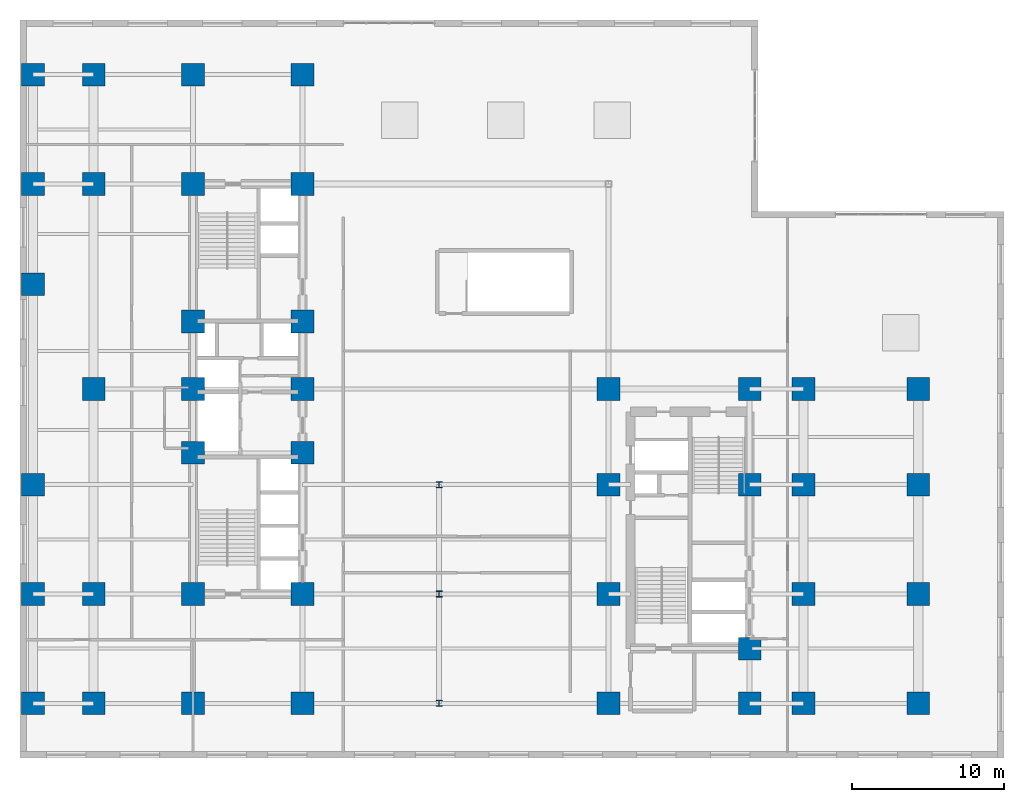
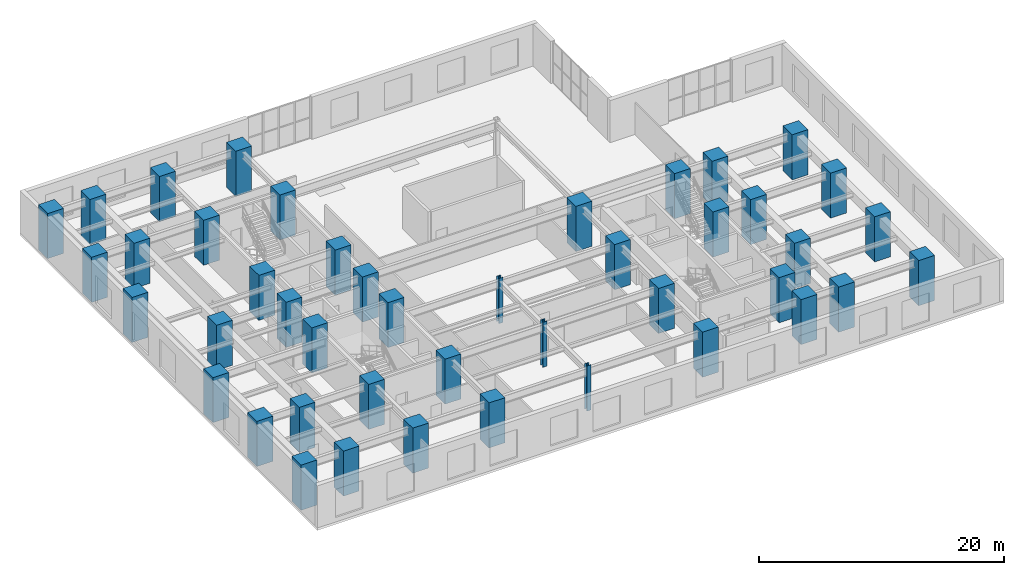
# One storey, part 1 of 14: 44 columns.
"""IFC4 building model written with IfcOpenShell, lengths in metres."""

from ifc_helpers import new_model, entity, si_unit, converted_unit, direction, frame, origin_with_axes, origin_2d_with_axis, place, context, subcontext, project, spatial, rectangle, i_section, extrude, material, material_profile, profile_set, type_object, element, save


model = new_model("IFC4")

# Units and contexts
model_context = context("Model", 3, precision=1e-05, world=origin_with_axes(), true_north=direction((0.0, 1.0)))
body_context = subcontext(model_context, "Body", "Model", "MODEL_VIEW")
ifc_project = project(units=[si_unit("LENGTHUNIT", "METRE"), si_unit("AREAUNIT", "SQUARE_METRE"), si_unit("VOLUMEUNIT", "CUBIC_METRE"), converted_unit("PLANEANGLEUNIT", "DEGREE", entity("IfcPlaneAngleMeasure", 0.017453292519943295), si_unit("PLANEANGLEUNIT", "RADIAN"), dimensions=[0, 0, 0, 0, 0, 0, 0]), si_unit("MASSUNIT", "GRAM", prefix="KILO"), si_unit("THERMODYNAMICTEMPERATUREUNIT", "KELVIN")], contexts=[model_context])

# Site, building, storey
site_placement = place(None, origin_with_axes())
site = spatial("IfcSite", under=ifc_project, at=site_placement, CompositionType="ELEMENT")
building_placement = place(site_placement, origin_with_axes())
building = spatial("IfcBuilding", under=site, at=building_placement, Name="Varnlund Millrace Tower", CompositionType="ELEMENT")
storey_placement = place(building_placement, frame((0.0, 0.0, 24.3), z_axis=(0.0, 0.0, 1.0), x_axis=(1.0, 0.0, 0.0)))
storey = spatial("IfcBuildingStorey", under=building, at=storey_placement, Name="L05", CompositionType="ELEMENT", Elevation=24.3)

# Columns
ifc_material_1 = material(Name="Steel ASTM A913 Grade 65", Category="steel")
ifc_material_profile_1 = material_profile(ifc_material_1, i_section(OverallWidth=0.406, OverallDepth=0.416, WebThickness=0.0298, FlangeThickness=0.048, FilletRadius=0.022, at=origin_2d_with_axis()), Name="Steel ASTM A913 Grade 65")
ifc_profile_set_1 = profile_set([ifc_material_profile_1], Name="Steel ASTM A913 Grade 65")
column_type_1 = type_object("IfcColumnType", Name="Type-Col-Int-W14X257", PredefinedType="COLUMN", material=ifc_profile_set_1)
for number, where, z_axis, x_axis, name in (
    (1, (27.6, 3.6, 0.0), (0.0, 0.0, 1.0), (1.0, 0.0, 0.0), "Type-Col-Int-W14X257"),
    (2, (27.6, 10.8, 0.0), (0.0, 0.0, 1.0), (1.0, 0.0, 0.0), "Type-Col-Int-W14X257"),
    (3, (27.6, 18.0, 0.0), (0.0, 0.0, 1.0), (1.0, 0.0, 0.0), "Type-Col-Int-W14X257"),
):
    element("IfcColumn", number, at=place(storey_placement, frame(where, z_axis=z_axis, x_axis=x_axis)), inside=storey, type_object=column_type_1, Name=name, PredefinedType="COLUMN", context=body_context, shape_type="SweptSolid", body=[
        extrude(i_section(OverallWidth=0.406, OverallDepth=0.416, WebThickness=0.0298, FlangeThickness=0.048, FilletRadius=0.022, at=origin_2d_with_axis()), origin_with_axes(), (0.0, 0.0, 1.0), 4.5),
    ])
ifc_material_2 = material(Name="Concrete C80/95", Category="concrete")
ifc_material_profile_2 = material_profile(ifc_material_2, rectangle(XDim=1.5, YDim=1.5, at=origin_2d_with_axis()), Name="Concrete C80/95")
ifc_profile_set_2 = profile_set([ifc_material_profile_2], Name="Concrete C80/95")
column_type_2 = type_object("IfcColumnType", Name="Type-Col-RC1500-C80", PredefinedType="COLUMN", material=ifc_profile_set_2)
for number, where, z_axis, x_axis, name in (
    (4, (11.4, 3.6, 0.0), (0.0, 0.0, 1.0), (1.0, 0.0, 0.0), "Type-Col-RC1500-C80"),
    (5, (11.4, 10.8, 0.0), (0.0, 0.0, 1.0), (1.0, 0.0, 0.0), "Type-Col-RC1500-C80"),
    (6, (11.4, 20.1, 0.0), (0.0, 0.0, 1.0), (1.0, 0.0, 0.0), "Type-Col-RC1500-C80"),
    (7, (11.4, 24.3, 0.0), (0.0, 0.0, 1.0), (1.0, 0.0, 0.0), "Type-Col-RC1500-C80"),
    (8, (11.4, 28.75, 0.0), (0.0, 0.0, 1.0), (1.0, 0.0, 0.0), "Type-Col-RC1500-C80"),
    (9, (11.4, 37.8, 0.0), (0.0, 0.0, 1.0), (1.0, 0.0, 0.0), "Type-Col-RC1500-C80"),
    (10, (11.4, 45.0, 0.0), (0.0, 0.0, 1.0), (1.0, 0.0, 0.0), "Type-Col-RC1500-C80"),
    (11, (18.6, 3.6, 0.0), (0.0, 0.0, 1.0), (1.0, 0.0, 0.0), "Type-Col-RC1500-C80"),
    (12, (18.6, 10.8, 0.0), (0.0, 0.0, 1.0), (1.0, 0.0, 0.0), "Type-Col-RC1500-C80"),
    (13, (18.6, 20.1, 0.0), (0.0, 0.0, 1.0), (1.0, 0.0, 0.0), "Type-Col-RC1500-C80"),
    (14, (18.6, 24.3, 0.0), (0.0, 0.0, 1.0), (1.0, 0.0, 0.0), "Type-Col-RC1500-C80"),
    (15, (18.6, 28.75, 0.0), (0.0, 0.0, 1.0), (1.0, 0.0, 0.0), "Type-Col-RC1500-C80"),
    (16, (18.6, 37.8, 0.0), (0.0, 0.0, 1.0), (1.0, 0.0, 0.0), "Type-Col-RC1500-C80"),
    (17, (18.6, 45.0, 0.0), (0.0, 0.0, 1.0), (1.0, 0.0, 0.0), "Type-Col-RC1500-C80"),
    (18, (4.85, 3.6, 0.0), (0.0, 0.0, 1.0), (1.0, 0.0, 0.0), "Type-Col-RC1500-C80"),
    (19, (4.85, 10.8, 0.0), (0.0, 0.0, 1.0), (1.0, 0.0, 0.0), "Type-Col-RC1500-C80"),
    (20, (4.85, 24.3, 0.0), (0.0, 0.0, 1.0), (1.0, 0.0, 0.0), "Type-Col-RC1500-C80"),
    (21, (4.85, 37.8, 0.0), (0.0, 0.0, 1.0), (1.0, 0.0, 0.0), "Type-Col-RC1500-C80"),
    (22, (4.85, 45.0, 0.0), (0.0, 0.0, 1.0), (1.0, 0.0, 0.0), "Type-Col-RC1500-C80"),
    (23, (0.85, 3.6, 0.0), (0.0, 0.0, 1.0), (1.0, 0.0, 0.0), "Type-Col-RC1500-C80"),
    (24, (0.85, 10.8, 0.0), (0.0, 0.0, 1.0), (1.0, 0.0, 0.0), "Type-Col-RC1500-C80"),
    (25, (0.85, 18.0, 0.0), (0.0, 0.0, 1.0), (1.0, 0.0, 0.0), "Type-Col-RC1500-C80"),
    (26, (0.85, 31.2, 0.0), (0.0, 0.0, 1.0), (1.0, 0.0, 0.0), "Type-Col-RC1500-C80"),
    (27, (0.85, 37.8, 0.0), (0.0, 0.0, 1.0), (1.0, 0.0, 0.0), "Type-Col-RC1500-C80"),
    (28, (0.85, 45.0, 0.0), (0.0, 0.0, 1.0), (1.0, 0.0, 0.0), "Type-Col-RC1500-C80"),
    (29, (38.75, 3.6, 0.0), (0.0, 0.0, 1.0), (1.0, 0.0, 0.0), "Type-Col-RC1500-C80"),
    (30, (38.75, 10.8, 0.0), (0.0, 0.0, 1.0), (1.0, 0.0, 0.0), "Type-Col-RC1500-C80"),
    (31, (38.75, 18.0, 0.0), (0.0, 0.0, 1.0), (1.0, 0.0, 0.0), "Type-Col-RC1500-C80"),
    (32, (38.75, 24.3, 0.0), (0.0, 0.0, 1.0), (1.0, 0.0, 0.0), "Type-Col-RC1500-C80"),
    (33, (48.05, 3.6, 0.0), (0.0, 0.0, 1.0), (1.0, 0.0, 0.0), "Type-Col-RC1500-C80"),
    (34, (48.05, 7.2, 0.0), (0.0, 0.0, 1.0), (1.0, 0.0, 0.0), "Type-Col-RC1500-C80"),
    (35, (48.05, 18.0, 0.0), (0.0, 0.0, 1.0), (1.0, 0.0, 0.0), "Type-Col-RC1500-C80"),
    (36, (48.05, 24.3, 0.0), (0.0, 0.0, 1.0), (1.0, 0.0, 0.0), "Type-Col-RC1500-C80"),
    (37, (51.6, 3.6, 0.0), (0.0, 0.0, 1.0), (1.0, 0.0, 0.0), "Type-Col-RC1500-C80"),
    (38, (51.6, 10.8, 0.0), (0.0, 0.0, 1.0), (1.0, 0.0, 0.0), "Type-Col-RC1500-C80"),
    (39, (51.6, 18.0, 0.0), (0.0, 0.0, 1.0), (1.0, 0.0, 0.0), "Type-Col-RC1500-C80"),
    (40, (51.6, 24.3, 0.0), (0.0, 0.0, 1.0), (1.0, 0.0, 0.0), "Type-Col-RC1500-C80"),
    (41, (59.15, 3.6, 0.0), (0.0, 0.0, 1.0), (1.0, 0.0, 0.0), "Type-Col-RC1500-C80"),
    (42, (59.15, 10.8, 0.0), (0.0, 0.0, 1.0), (1.0, 0.0, 0.0), "Type-Col-RC1500-C80"),
    (43, (59.15, 18.0, 0.0), (0.0, 0.0, 1.0), (1.0, 0.0, 0.0), "Type-Col-RC1500-C80"),
    (44, (59.15, 24.3, 0.0), (0.0, 0.0, 1.0), (1.0, 0.0, 0.0), "Type-Col-RC1500-C80"),
):
    element("IfcColumn", number, at=place(storey_placement, frame(where, z_axis=z_axis, x_axis=x_axis)), inside=storey, type_object=column_type_2, Name=name, PredefinedType="COLUMN", context=body_context, shape_type="SweptSolid", body=[
        extrude(rectangle(XDim=1.5, YDim=1.5, at=origin_2d_with_axis()), origin_with_axes(), (0.0, 0.0, 1.0), 4.5),
    ])

save(model, "model.ifc")
